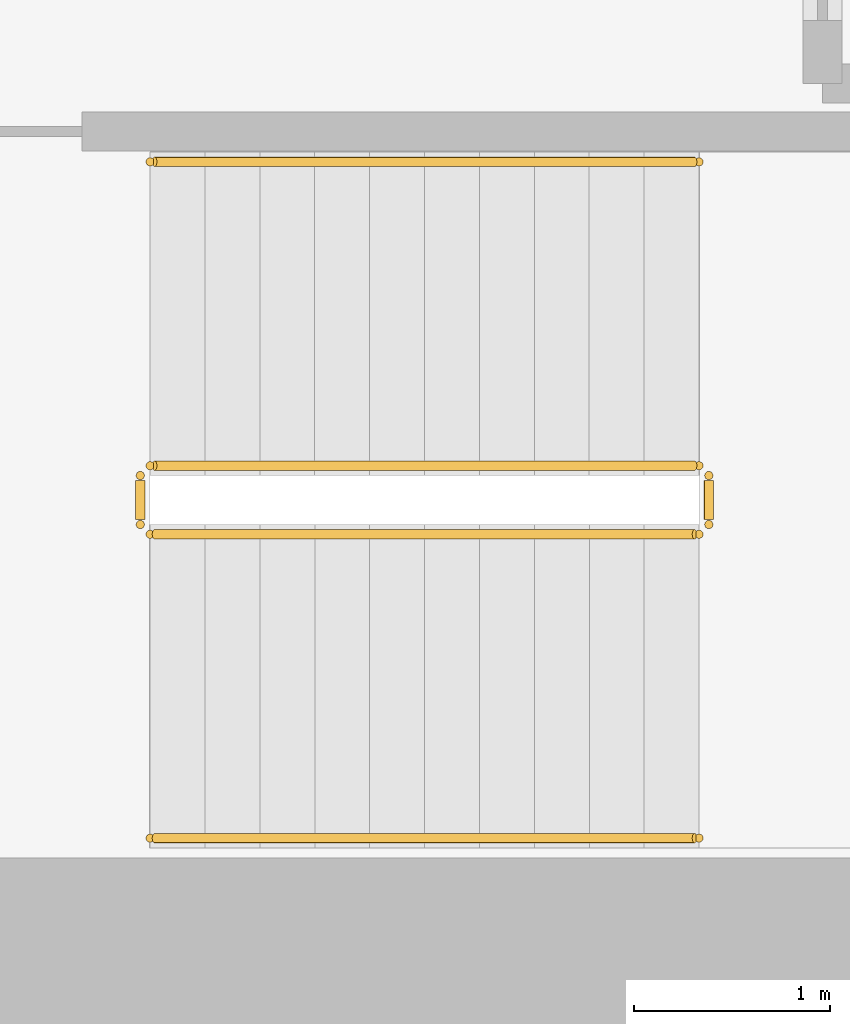
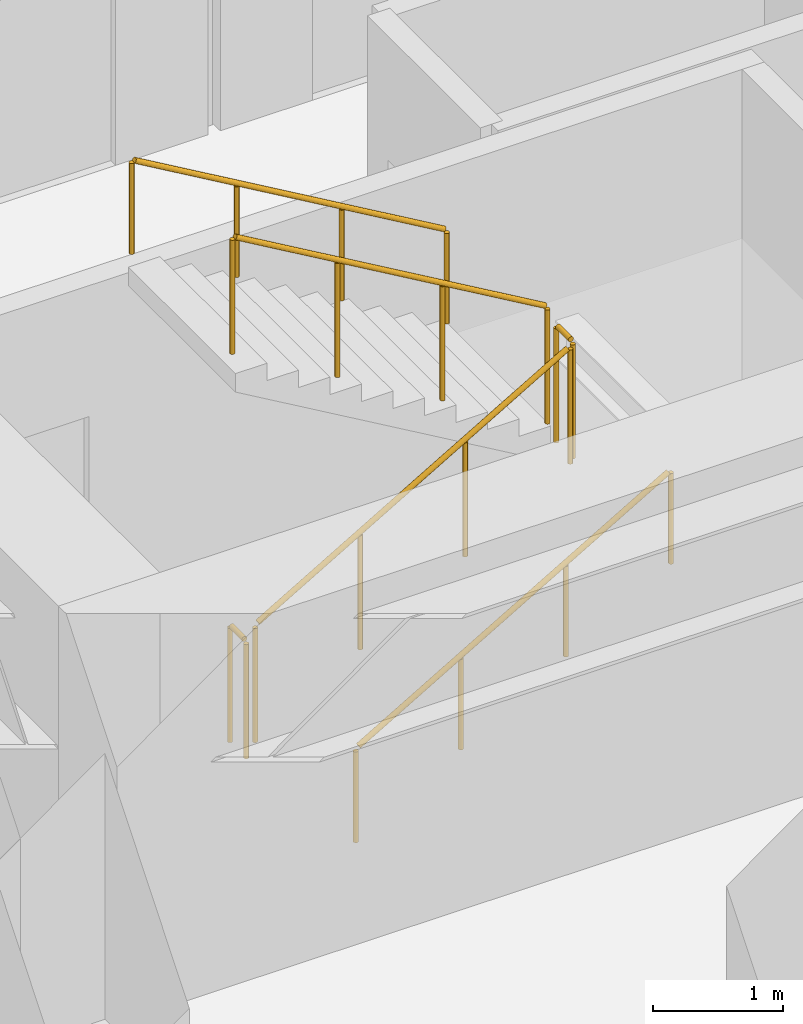
# One storey, part 14 of 14: 6 railings.
"""IFC4 building model written with IfcOpenShell, lengths in metres."""

from ifc_helpers import new_model, si_unit, direction, frame, origin, origin_2d, place, context, subcontext, project, spatial, circle, extrude, source, transform, mapped, material, layer, layer_set, type_object, element, save


model = new_model("IFC4")

# Units and contexts
model_context = context("Model", 3, precision=1e-05, world=origin(), true_north=direction((0.0, 1.0)))
body_context = subcontext(model_context, "Body", "Model", "MODEL_VIEW")
ifc_project = project(units=[si_unit("LENGTHUNIT", "METRE"), si_unit("AREAUNIT", "SQUARE_METRE"), si_unit("VOLUMEUNIT", "CUBIC_METRE"), si_unit("PLANEANGLEUNIT", "RADIAN"), si_unit("MASSUNIT", "GRAM", prefix="KILO")], contexts=[model_context])

# Site, building, storey
site_placement = place(None, origin())
site = spatial("IfcSite", under=ifc_project, at=site_placement, CompositionType="ELEMENT")
building_placement = place(site_placement, origin())
building = spatial("IfcBuilding", under=site, at=building_placement, Name="Kharzan Plaza Tower", CompositionType="ELEMENT")
storey_placement = place(building_placement, frame((0.0, 0.0, 44.10009765625)))
storey = spatial("IfcBuildingStorey", under=building, at=storey_placement, Name="L11", CompositionType="ELEMENT", Elevation=44.10009765625)

# Railings
ifc_material_1 = material(Name="Painted Galvanized Architectural Steel", Category="steel")
ifc_layer_1 = layer(ifc_material_1, 0.074951171875)
ifc_layer_set_1 = layer_set([ifc_layer_1], Name="Painted Galvanized Architectural Steel")
railing_type_1 = type_object("IfcRailingType", Name="RL-GUARD-1120", PredefinedType="BALUSTRADE", material=ifc_layer_set_1)
shared_shape_1 = source(origin(), body_context, "Body", "SweptSolid", [
    extrude(circle(Radius=0.02392578125, at=origin_2d()), frame((0.0, 0.0263671875, 1.09619140625), z_axis=(0.0, 1.0, 0.0), x_axis=(-1.0, 0.0, 0.0)), (0.0, 0.0, 1.0), 0.197021484375),
    extrude(circle(Radius=0.02099609375, at=origin_2d()), origin(), (0.0, 0.0, 1.0), 1.072021484375),
    extrude(circle(Radius=0.02099609375, at=origin_2d()), frame((0.0, 0.25, 0.0)), (0.0, 0.0, 1.0), 1.072021484375),
])
for number, where, name in (
    (1, (41.10009765625, 6.64990234375, 1.7998046875), "L11 ST-3 stair guard 2"),
    (2, (38.199951171875, 6.64990234375, 0.0), "L11 ST-3 stair guard 4"),
):
    element("IfcRailing", number, at=place(storey_placement, frame(where)), inside=storey, type_object=railing_type_1, Name=name, PredefinedType="BALUSTRADE", context=body_context, shape_type="MappedRepresentation", body=[
        mapped(shared_shape_1, transform((0.0, 0.0, 0.0), x_axis=(1.0, 0.0, 0.0), y_axis=(0.0, 1.0, 0.0), z_axis=(0.0, 0.0, 1.0))),
    ])
shared_shape_2 = source(origin(), body_context, "Body", "SweptSolid", [
    extrude(circle(Radius=0.02392578125, at=origin_2d()), frame((0.02294921875, 0.0, 1.109375), z_axis=(0.863393664356, 0.0, 0.504530851732), x_axis=(0.0, 1.0, 0.0)), (0.0, 0.0, 1.0), 3.190185546875),
    extrude(circle(Radius=0.02099609375, at=origin_2d()), origin(), (0.0, 0.0, 1.0), 1.072021484375),
    extrude(circle(Radius=0.02099609375, at=origin_2d()), frame((0.933349609375, 0.0, 0.54541015625)), (0.0, 0.0, 1.0), 1.072021484375),
    extrude(circle(Radius=0.02099609375, at=origin_2d()), frame((1.86669921875, 0.0, 1.0908203125)), (0.0, 0.0, 1.0), 1.072021484375),
    extrude(circle(Radius=0.02099609375, at=origin_2d()), frame((2.800048828125, 0.0, 1.63623046875)), (0.0, 0.0, 1.0), 1.072021484375),
])
railing_1_placement = place(storey_placement, frame((38.25, 6.60009765625, 0.16357421875)))
element("IfcRailing", 3, at=railing_1_placement, inside=storey, type_object=railing_type_1, Name="L11 ST-3 stair guard 1", PredefinedType="BALUSTRADE", context=body_context, shape_type="MappedRepresentation", body=[
    mapped(shared_shape_2, transform((0.0, 0.0, 0.0), x_axis=(1.0, 0.0, 0.0), y_axis=(0.0, 1.0, 0.0), z_axis=(0.0, 0.0, 1.0))),
])
shared_shape_3 = source(origin(), body_context, "Body", "SweptSolid", [
    extrude(circle(Radius=0.02392578125, at=origin_2d()), frame((-0.02294921875, 0.0, 1.109375), z_axis=(-0.863393664356, 0.0, 0.504530851732), x_axis=(0.0, -1.0, 0.0)), (0.0, 0.0, 1.0), 3.190185546875),
    extrude(circle(Radius=0.02099609375, at=origin_2d()), origin(), (0.0, 0.0, 1.0), 1.072021484375),
    extrude(circle(Radius=0.02099609375, at=origin_2d()), frame((-0.933349609375, 0.0, 0.54541015625)), (0.0, 0.0, 1.0), 1.072021484375),
    extrude(circle(Radius=0.02099609375, at=origin_2d()), frame((-1.86669921875, 0.0, 1.0908203125)), (0.0, 0.0, 1.0), 1.072021484375),
    extrude(circle(Radius=0.02099609375, at=origin_2d()), frame((-2.800048828125, 0.0, 1.63623046875)), (0.0, 0.0, 1.0), 1.072021484375),
])
railing_2_placement = place(storey_placement, frame((41.050048828125, 6.949951171875, 1.963623046875)))
element("IfcRailing", 4, at=railing_2_placement, inside=storey, type_object=railing_type_1, Name="L11 ST-3 stair guard 3", PredefinedType="BALUSTRADE", context=body_context, shape_type="MappedRepresentation", body=[
    mapped(shared_shape_3, transform((0.0, 0.0, 0.0), x_axis=(1.0, 0.0, 0.0), y_axis=(0.0, 1.0, 0.0), z_axis=(0.0, 0.0, 1.0))),
])
ifc_material_2 = material(Name="Brushed Stainless Steel", Category="steel")
ifc_layer_2 = layer(ifc_material_2, 0.050048828125)
ifc_layer_set_2 = layer_set([ifc_layer_2], Name="Brushed Stainless Steel")
railing_type_2 = type_object("IfcRailingType", Name="RL-STAIR-HR920", PredefinedType="HANDRAIL", material=ifc_layer_set_2)
shared_shape_4 = source(origin(), body_context, "Body", "SweptSolid", [
    extrude(circle(Radius=0.02392578125, at=origin_2d()), frame((0.02294921875, 0.0, 0.88916015625), z_axis=(0.863393664356, 0.0, 0.504530851732), x_axis=(0.0, 1.0, 0.0)), (0.0, 0.0, 1.0), 3.190185546875),
    extrude(circle(Radius=0.02099609375, at=origin_2d()), origin(), (0.0, 0.0, 1.0), 0.851806640625),
    extrude(circle(Radius=0.02099609375, at=origin_2d()), frame((0.933349609375, 0.0, 0.54541015625)), (0.0, 0.0, 1.0), 0.851806640625),
    extrude(circle(Radius=0.02099609375, at=origin_2d()), frame((1.86669921875, 0.0, 1.0908203125)), (0.0, 0.0, 1.0), 0.851806640625),
    extrude(circle(Radius=0.02099609375, at=origin_2d()), frame((2.800048828125, 0.0, 1.63623046875)), (0.0, 0.0, 1.0), 0.851806640625),
])
railing_3_placement = place(storey_placement, frame((38.25, 5.050048828125, 0.16357421875)))
element("IfcRailing", 5, at=railing_3_placement, inside=storey, type_object=railing_type_2, Name="L11 ST-3 stair handrail 1", PredefinedType="HANDRAIL", context=body_context, shape_type="MappedRepresentation", body=[
    mapped(shared_shape_4, transform((0.0, 0.0, 0.0), x_axis=(1.0, 0.0, 0.0), y_axis=(0.0, 1.0, 0.0), z_axis=(0.0, 0.0, 1.0))),
])
shared_shape_5 = source(origin(), body_context, "Body", "SweptSolid", [
    extrude(circle(Radius=0.02392578125, at=origin_2d()), frame((-0.02294921875, 0.0, 0.88916015625), z_axis=(-0.863393664356, 0.0, 0.504530851732), x_axis=(0.0, -1.0, 0.0)), (0.0, 0.0, 1.0), 3.190185546875),
    extrude(circle(Radius=0.02099609375, at=origin_2d()), origin(), (0.0, 0.0, 1.0), 0.851806640625),
    extrude(circle(Radius=0.02099609375, at=origin_2d()), frame((-0.933349609375, 0.0, 0.54541015625)), (0.0, 0.0, 1.0), 0.851806640625),
    extrude(circle(Radius=0.02099609375, at=origin_2d()), frame((-1.86669921875, 0.0, 1.0908203125)), (0.0, 0.0, 1.0), 0.851806640625),
    extrude(circle(Radius=0.02099609375, at=origin_2d()), frame((-2.800048828125, 0.0, 1.63623046875)), (0.0, 0.0, 1.0), 0.851806640625),
])
railing_4_placement = place(storey_placement, frame((41.050048828125, 8.5, 1.963623046875)))
element("IfcRailing", 6, at=railing_4_placement, inside=storey, type_object=railing_type_2, Name="L11 ST-3 stair handrail 2", PredefinedType="HANDRAIL", context=body_context, shape_type="MappedRepresentation", body=[
    mapped(shared_shape_5, transform((0.0, 0.0, 0.0), x_axis=(1.0, 0.0, 0.0), y_axis=(0.0, 1.0, 0.0), z_axis=(0.0, 0.0, 1.0))),
])

save(model, "model.ifc")
